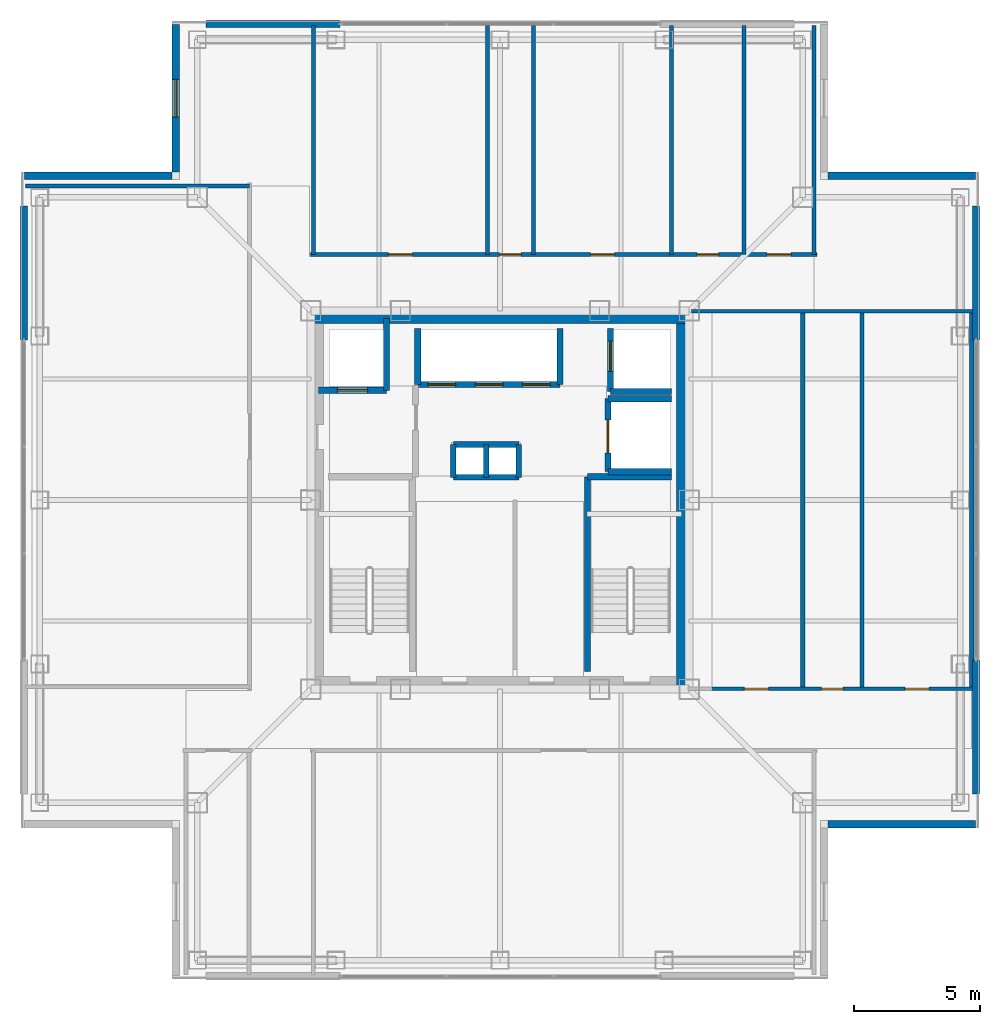
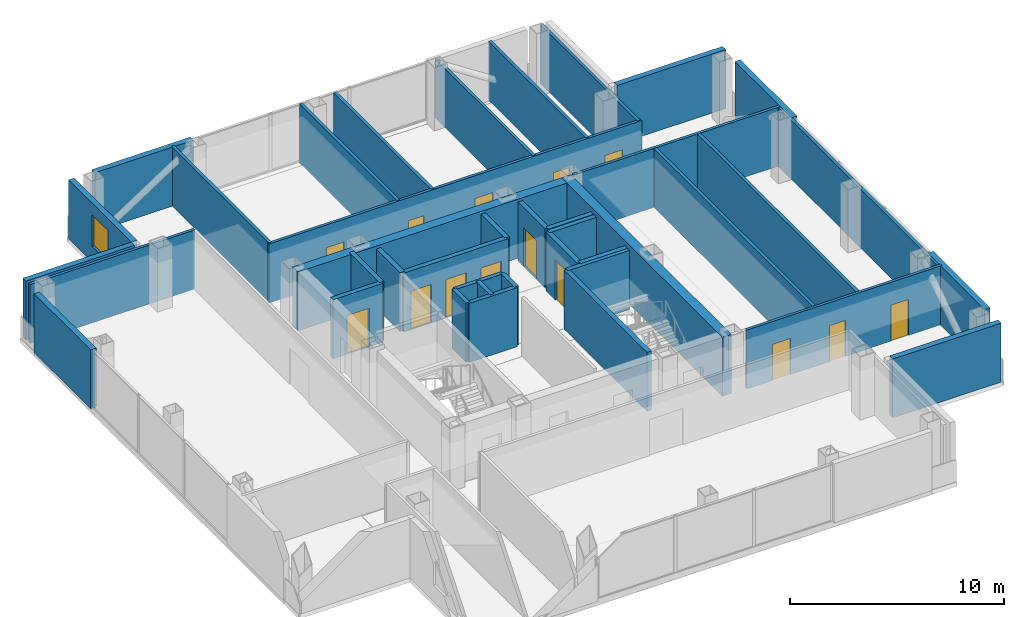
# One storey, part 9 of 16: 40 walls, 14 doors, 1 window, 15 openings.
"""IFC4 building model written with IfcOpenShell, lengths in metres."""

from ifc_helpers import new_model, si_unit, direction, frame, frame_2d, origin, place, context, subcontext, project, spatial, rectangle, extrude, material, layer, layer_set, type_object, element, fill, save


model = new_model("IFC4")

# Units and contexts
model_context = context("Model", 3, precision=1e-05, world=origin(), true_north=direction((0.0, 1.0)))
body_context = subcontext(model_context, "Body", "Model", "MODEL_VIEW")
ifc_project = project(units=[si_unit("LENGTHUNIT", "METRE"), si_unit("AREAUNIT", "SQUARE_METRE"), si_unit("VOLUMEUNIT", "CUBIC_METRE"), si_unit("PLANEANGLEUNIT", "RADIAN"), si_unit("MASSUNIT", "GRAM", prefix="KILO")], contexts=[model_context])

# Site, building, storey
site_placement = place(None, origin())
site = spatial("IfcSite", under=ifc_project, at=site_placement, CompositionType="ELEMENT")
building_placement = place(site_placement, origin())
building = spatial("IfcBuilding", under=site, at=building_placement, Name="Trevonay Congress Spire", CompositionType="ELEMENT")
storey_placement = place(building_placement, frame((0.0, 0.0, 246.800048828125)))
storey = spatial("IfcBuildingStorey", under=building, at=storey_placement, Name="L64", CompositionType="ELEMENT", Elevation=246.800048828125)

# Walls
ifc_material_1 = material(Name="Concrete C50/60", Category="concrete")
ifc_layer_1 = layer(ifc_material_1, 0.5, Name="Concrete C50/60")
ifc_layer_set_1 = layer_set([ifc_layer_1], Name="Concrete C50/60")
wall_type_1 = type_object("IfcWallType", Name="WAL-CORE-500", PredefinedType="SHEAR", material=ifc_layer_set_1)
for number, where, z_axis, x_axis, name in (
    (1, (-7.5, 7.25, 0.0), (0.0, 0.0, 1.0), (1.0, 0.0, 0.0), "L64 North structural core shear wall"),
    (2, (7.25, -7.5, 0.0), (0.0, 0.0, 1.0), (0.0, 1.0, 0.0), "L64 East structural core shear wall"),
):
    element("IfcWall", number, at=place(storey_placement, frame(where, z_axis=z_axis, x_axis=x_axis)), inside=storey, type_object=wall_type_1, Name=name, PredefinedType="SHEAR", context=body_context, shape_type="SweptSolid", body=[
        extrude(rectangle(XDim=15.0, YDim=0.5, at=frame_2d((7.5, 0.0))), origin(), (0.0, 0.0, 1.0), 3.35986328125),
    ])

# Wall, openings, doors
ifc_material_2 = material(Name="Concrete C40/50", Category="concrete")
ifc_layer_2 = layer(ifc_material_2, 0.14990234375, Name="Concrete C40/50")
ifc_layer_set_2 = layer_set([ifc_layer_2], Name="Concrete C40/50")
wall_type_2 = type_object("IfcWallType", Name="WAL-CORR-150", PredefinedType="PARTITIONING", material=ifc_layer_set_2)
wall_1_placement = place(storey_placement, frame((-7.52001953125, 9.72998046875, 0.0), z_axis=(0.0, 0.0, 1.0), x_axis=(1.0, 0.0, 0.0)))
wall_1 = element("IfcWall", 3, at=wall_1_placement, inside=storey, type_object=wall_type_2, Name="L64 interior wall WP-L64N-COR", PredefinedType="PARTITIONING", context=body_context, shape_type="SweptSolid", body=[
    extrude(rectangle(XDim=20.090087890625, YDim=0.14990234375, at=frame_2d((10.044921875, 0.0))), origin(), (0.0, 0.0, 1.0), 3.35986328125),
])
opening_1_placement = place(wall_1_placement, frame((3.094970703125, 0.0, 0.0)))
opening_1 = element("IfcOpeningElement", 4, at=opening_1_placement, cuts=wall_1, Name="Opening D07", PredefinedType="OPENING", context=body_context, shape_type="SweptSolid", body=[
    extrude(rectangle(XDim=0.949951171875, YDim=2.06005859375, at=frame_2d((0.47509765625, 1.030029296875))), frame((0.0, 0.0849609375, 0.0), z_axis=(0.0, -1.0, 0.0), x_axis=(1.0, 0.0, 0.0)), (0.0, 0.0, 1.0), 0.169921875),
])
opening_2_placement = place(wall_1_placement, frame((7.510009765625, 0.0, 0.0)))
opening_2 = element("IfcOpeningElement", 5, at=opening_2_placement, cuts=wall_1, Name="Opening D10", PredefinedType="OPENING", context=body_context, shape_type="SweptSolid", body=[
    extrude(rectangle(XDim=0.85009765625, YDim=2.050048828125, at=frame_2d((0.425048828125, 1.02490234375))), frame((0.0, 0.0849609375, 0.0), z_axis=(0.0, -1.0, 0.0), x_axis=(1.0, 0.0, 0.0)), (0.0, 0.0, 1.0), 0.169921875),
])
opening_3_placement = place(wall_1_placement, frame((11.110107421875, 0.0, 0.0)))
opening_3 = element("IfcOpeningElement", 6, at=opening_3_placement, cuts=wall_1, Name="Opening D07", PredefinedType="OPENING", context=body_context, shape_type="SweptSolid", body=[
    extrude(rectangle(XDim=0.949951171875, YDim=2.06005859375, at=frame_2d((0.47509765625, 1.030029296875))), frame((0.0, 0.0849609375, 0.0), z_axis=(0.0, -1.0, 0.0), x_axis=(1.0, 0.0, 0.0)), (0.0, 0.0, 1.0), 0.169921875),
])
opening_4_placement = place(wall_1_placement, frame((15.3349609375, 0.0, 0.0)))
opening_4 = element("IfcOpeningElement", 7, at=opening_4_placement, cuts=wall_1, Name="Opening D10", PredefinedType="OPENING", context=body_context, shape_type="SweptSolid", body=[
    extrude(rectangle(XDim=0.85009765625, YDim=2.050048828125, at=frame_2d((0.425048828125, 1.02490234375))), frame((0.0, 0.0849609375, 0.0), z_axis=(0.0, -1.0, 0.0), x_axis=(1.0, 0.0, 0.0)), (0.0, 0.0, 1.0), 0.169921875),
])
opening_5_placement = place(wall_1_placement, frame((18.110107421875, 0.0, 0.0)))
opening_5 = element("IfcOpeningElement", 8, at=opening_5_placement, cuts=wall_1, Name="Opening D07", PredefinedType="OPENING", context=body_context, shape_type="SweptSolid", body=[
    extrude(rectangle(XDim=0.949951171875, YDim=2.06005859375, at=frame_2d((0.47509765625, 1.030029296875))), frame((0.0, 0.0849609375, 0.0), z_axis=(0.0, -1.0, 0.0), x_axis=(1.0, 0.0, 0.0)), (0.0, 0.0, 1.0), 0.169921875),
])
ifc_material_3 = material(Name="Pale Anodised Aluminium EN AW-6063-T6", Category="aluminium")
door_type_1 = type_object("IfcDoorType", Name="DOR-OFFICE-95", OperationType="NOTDEFINED", PredefinedType="DOOR", material=ifc_material_3)
door_1_placement = place(opening_1_placement, origin())
door_1 = element("IfcDoor", 9, at=door_1_placement, inside=storey, type_object=door_type_1, Name="L64 Simultaneous Translation Office Door", OperationType="SINGLE_SWING_LEFT", OverallHeight=2.06005859375, OverallWidth=0.949951171875, PredefinedType="DOOR", context=body_context, shape_type="SweptSolid", body=[
    extrude(rectangle(XDim=0.949951171875, YDim=2.06005859375, at=frame_2d((0.47509765625, 1.030029296875))), frame((0.0, 0.02490234375, 0.0), z_axis=(0.0, -1.0, 0.0), x_axis=(1.0, 0.0, 0.0)), (0.0, 0.0, 1.0), 0.050048828125),
])
fill(opening_1, door_1)
door_2_placement = place(opening_3_placement, origin())
door_2 = element("IfcDoor", 10, at=door_2_placement, inside=storey, type_object=door_type_1, Name="L64 Floor Supplies and Copy Room Door", OperationType="SINGLE_SWING_LEFT", OverallHeight=2.06005859375, OverallWidth=0.949951171875, PredefinedType="DOOR", context=body_context, shape_type="SweptSolid", body=[
    extrude(rectangle(XDim=0.949951171875, YDim=2.06005859375, at=frame_2d((0.47509765625, 1.030029296875))), frame((0.0, 0.02490234375, 0.0), z_axis=(0.0, -1.0, 0.0), x_axis=(1.0, 0.0, 0.0)), (0.0, 0.0, 1.0), 0.050048828125),
])
fill(opening_3, door_2)
door_3_placement = place(opening_5_placement, origin())
door_3 = element("IfcDoor", 11, at=door_3_placement, inside=storey, type_object=door_type_1, Name="L64 Floor Supplies and Copy Room Door", OperationType="SINGLE_SWING_LEFT", OverallHeight=2.06005859375, OverallWidth=0.949951171875, PredefinedType="DOOR", context=body_context, shape_type="SweptSolid", body=[
    extrude(rectangle(XDim=0.949951171875, YDim=2.06005859375, at=frame_2d((0.47509765625, 1.030029296875))), frame((0.0, 0.02490234375, 0.0), z_axis=(0.0, -1.0, 0.0), x_axis=(1.0, 0.0, 0.0)), (0.0, 0.0, 1.0), 0.050048828125),
])
fill(opening_5, door_3)
door_type_2 = type_object("IfcDoorType", Name="DOR-WC-85", OperationType="NOTDEFINED", PredefinedType="DOOR", material=ifc_material_3)
door_4_placement = place(opening_2_placement, origin())
door_4 = element("IfcDoor", 12, at=door_4_placement, inside=storey, type_object=door_type_2, Name="L64 Accessible WC Door", OperationType="SINGLE_SWING_RIGHT", OverallHeight=2.050048828125, OverallWidth=0.85009765625, PredefinedType="DOOR", context=body_context, shape_type="SweptSolid", body=[
    extrude(rectangle(XDim=0.85009765625, YDim=2.050048828125, at=frame_2d((0.425048828125, 1.02490234375))), frame((0.0, 0.02490234375, 0.0), z_axis=(0.0, -1.0, 0.0), x_axis=(1.0, 0.0, 0.0)), (0.0, 0.0, 1.0), 0.050048828125),
])
fill(opening_2, door_4)
door_5_placement = place(opening_4_placement, origin())
door_5 = element("IfcDoor", 13, at=door_5_placement, inside=storey, type_object=door_type_2, Name="L64 Female Restroom WC Door", OperationType="SINGLE_SWING_RIGHT", OverallHeight=2.050048828125, OverallWidth=0.85009765625, PredefinedType="DOOR", context=body_context, shape_type="SweptSolid", body=[
    extrude(rectangle(XDim=0.85009765625, YDim=2.050048828125, at=frame_2d((0.425048828125, 1.02490234375))), frame((0.0, 0.02490234375, 0.0), z_axis=(0.0, -1.0, 0.0), x_axis=(1.0, 0.0, 0.0)), (0.0, 0.0, 1.0), 0.050048828125),
])
fill(opening_4, door_5)

wall_2_placement = place(storey_placement, frame((8.280029296875, -7.47998046875, 0.0), z_axis=(0.0, 0.0, 1.0), x_axis=(1.0, 0.0, 0.0)))
wall_2 = element("IfcWall", 14, at=wall_2_placement, inside=storey, type_object=wall_type_2, Name="L64 interior wall WP-L64E-COR", PredefinedType="PARTITIONING", context=body_context, shape_type="SweptSolid", body=[
    extrude(rectangle(XDim=10.5400390625, YDim=0.14990234375, at=frame_2d((5.27001953125, 0.0))), origin(), (0.0, 0.0, 1.0), 3.35986328125),
])
opening_6_placement = place(wall_2_placement, frame((1.405029296875, 0.0, 0.0)))
opening_6 = element("IfcOpeningElement", 15, at=opening_6_placement, cuts=wall_2, Name="Opening D07", PredefinedType="OPENING", context=body_context, shape_type="SweptSolid", body=[
    extrude(rectangle(XDim=0.949951171875, YDim=2.06005859375, at=frame_2d((0.47509765625, 1.030029296875))), frame((0.0, 0.0849609375, 0.0), z_axis=(0.0, -1.0, 0.0), x_axis=(1.0, 0.0, 0.0)), (0.0, 0.0, 1.0), 0.169921875),
])
opening_7_placement = place(wall_2_placement, frame((4.469970703125, 0.0, 0.0)))
opening_7 = element("IfcOpeningElement", 16, at=opening_7_placement, cuts=wall_2, Name="Opening D10", PredefinedType="OPENING", context=body_context, shape_type="SweptSolid", body=[
    extrude(rectangle(XDim=0.85009765625, YDim=2.050048828125, at=frame_2d((0.425048828125, 1.02490234375))), frame((0.0, 0.0849609375, 0.0), z_axis=(0.0, -1.0, 0.0), x_axis=(1.0, 0.0, 0.0)), (0.0, 0.0, 1.0), 0.169921875),
])
opening_8_placement = place(wall_2_placement, frame((7.77001953125, 0.0, 0.0)))
opening_8 = element("IfcOpeningElement", 17, at=opening_8_placement, cuts=wall_2, Name="Opening D07", PredefinedType="OPENING", context=body_context, shape_type="SweptSolid", body=[
    extrude(rectangle(XDim=0.949951171875, YDim=2.06005859375, at=frame_2d((0.47509765625, 1.030029296875))), frame((0.0, 0.0849609375, 0.0), z_axis=(0.0, -1.0, 0.0), x_axis=(1.0, 0.0, 0.0)), (0.0, 0.0, 1.0), 0.169921875),
])
door_6_placement = place(opening_6_placement, origin())
door_6 = element("IfcDoor", 18, at=door_6_placement, inside=storey, type_object=door_type_1, Name="L64 Delegate Coffee Pantry Door", OperationType="SINGLE_SWING_RIGHT", OverallHeight=2.06005859375, OverallWidth=0.949951171875, PredefinedType="DOOR", context=body_context, shape_type="SweptSolid", body=[
    extrude(rectangle(XDim=0.949951171875, YDim=2.06005859375, at=frame_2d((0.47509765625, 1.030029296875))), frame((0.0, 0.02490234375, 0.0), z_axis=(0.0, -1.0, 0.0), x_axis=(1.0, 0.0, 0.0)), (0.0, 0.0, 1.0), 0.050048828125),
])
fill(opening_6, door_6)
door_7_placement = place(opening_8_placement, origin())
door_7 = element("IfcDoor", 19, at=door_7_placement, inside=storey, type_object=door_type_1, Name="L64 Floor Supplies and Copy Room Door", OperationType="SINGLE_SWING_RIGHT", OverallHeight=2.06005859375, OverallWidth=0.949951171875, PredefinedType="DOOR", context=body_context, shape_type="SweptSolid", body=[
    extrude(rectangle(XDim=0.949951171875, YDim=2.06005859375, at=frame_2d((0.47509765625, 1.030029296875))), frame((0.0, 0.02490234375, 0.0), z_axis=(0.0, -1.0, 0.0), x_axis=(1.0, 0.0, 0.0)), (0.0, 0.0, 1.0), 0.050048828125),
])
fill(opening_8, door_7)
door_8_placement = place(opening_7_placement, origin())
door_8 = element("IfcDoor", 20, at=door_8_placement, inside=storey, type_object=door_type_2, Name="L64 Male Restroom WC Door", OperationType="SINGLE_SWING_LEFT", OverallHeight=2.050048828125, OverallWidth=0.85009765625, PredefinedType="DOOR", context=body_context, shape_type="SweptSolid", body=[
    extrude(rectangle(XDim=0.85009765625, YDim=2.050048828125, at=frame_2d((0.425048828125, 1.02490234375))), frame((0.0, 0.02490234375, 0.0), z_axis=(0.0, -1.0, 0.0), x_axis=(1.0, 0.0, 0.0)), (0.0, 0.0, 1.0), 0.050048828125),
])
fill(opening_7, door_8)

# Walls
ifc_material_4 = material(Name="Precast concrete C40/50", Category="concrete")
ifc_layer_3 = layer(ifc_material_4, 0.300048828125, Name="Precast concrete C40/50")
ifc_layer_set_3 = layer_set([ifc_layer_3], Name="Precast concrete C40/50")
wall_type_3 = type_object("IfcWallType", Name="WAL-EXT-PRECAST-300", PredefinedType="SOLIDWALL", material=ifc_layer_set_3)
for number, where, z_axis, x_axis, name in (
    (21, (-11.64990234375, 18.8798828125, 0.0), (0.0, 0.0, 1.0), (1.0, 0.0, 0.0), "L64 NL braced-bay exterior pier wall"),
    (22, (-18.8798828125, 6.35009765625, 0.0), (0.0, 0.0, 1.0), (0.0, 1.0, 0.0), "L64 WR braced-bay exterior pier wall"),
    (23, (18.8798828125, -11.64990234375, 0.0), (0.0, 0.0, 1.0), (0.0, 1.0, 0.0), "L64 EL braced-bay exterior pier wall"),
    (24, (18.8798828125, 6.35009765625, 0.0), (0.0, 0.0, 1.0), (0.0, 1.0, 0.0), "L64 ER braced-bay exterior pier wall"),
):
    element("IfcWall", number, at=place(storey_placement, frame(where, z_axis=z_axis, x_axis=x_axis)), inside=storey, type_object=wall_type_3, Name=name, PredefinedType="SOLIDWALL", context=body_context, shape_type="SweptSolid", body=[
        extrude(rectangle(XDim=5.2998046875, YDim=0.300048828125, at=frame_2d((2.64990234375, 0.0))), origin(), (0.0, 0.0, 1.0), 3.35986328125),
    ])
for number, where, z_axis, x_axis, name in (
    (25, (18.85009765625, -12.85009765625, 0.0), (0.0, 0.0, 1.0), (-1.0, 0.0, 0.0), "L64 SE re-entrant notch exterior wall 2"),
    (26, (18.85009765625, 12.85009765625, 0.0), (0.0, 0.0, 1.0), (-1.0, 0.0, 0.0), "L64 NE re-entrant notch exterior wall 2"),
):
    element("IfcWall", number, at=place(storey_placement, frame(where, z_axis=z_axis, x_axis=x_axis)), inside=storey, type_object=wall_type_3, Name=name, PredefinedType="SOLIDWALL", context=body_context, shape_type="SweptSolid", body=[
        extrude(rectangle(XDim=5.85009765625, YDim=0.300048828125, at=frame_2d((2.925048828125, 0.0))), origin(), (0.0, 0.0, 1.0), 3.35986328125),
    ])

# Wall, opening, window
wall_3_placement = place(storey_placement, frame((-12.85009765625, 18.85009765625, 0.0), z_axis=(0.0, 0.0, 1.0), x_axis=(0.0, -1.0, 0.0)))
wall_3 = element("IfcWall", 27, at=wall_3_placement, inside=storey, type_object=wall_type_3, Name="L64 NW re-entrant notch exterior wall 1", PredefinedType="SOLIDWALL", context=body_context, shape_type="SweptSolid", body=[
    extrude(rectangle(XDim=5.85009765625, YDim=0.300048828125, at=frame_2d((2.925048828125, 0.0))), origin(), (0.0, 0.0, 1.0), 3.35986328125),
])
opening_9_placement = place(wall_3_placement, frame((2.175048828125, 0.0, 0.89990234375)))
opening_9 = element("IfcOpeningElement", 28, at=opening_9_placement, cuts=wall_3, Name="Opening WN03", PredefinedType="OPENING", context=body_context, shape_type="SweptSolid", body=[
    extrude(rectangle(XDim=1.5, YDim=1.800048828125, at=frame_2d((0.75, 0.89990234375))), frame((0.0, 0.16015625, 0.0), z_axis=(0.0, -1.0, 0.0), x_axis=(1.0, 0.0, 0.0)), (0.0, 0.0, 1.0), 0.320068359375),
])
ifc_material_5 = material(Name="Insulated Low-E Vision Glass IGU", Category="glass")
window_type = type_object("IfcWindowType", Name="WIN-NOTCH-150X180", PartitioningType="SINGLE_PANEL", PredefinedType="WINDOW", material=ifc_material_5)
window_placement = place(opening_9_placement, origin())
window = element("IfcWindow", 29, at=window_placement, inside=storey, type_object=window_type, Name="L64 NW corner notch window", OverallHeight=1.800048828125, OverallWidth=1.5, PartitioningType="SINGLE_PANEL", PredefinedType="WINDOW", context=body_context, shape_type="SweptSolid", body=[
    extrude(rectangle(XDim=1.5, YDim=1.800048828125, at=frame_2d((0.75, 0.89990234375))), frame((0.0, 0.030029296875, 0.0), z_axis=(0.0, -1.0, 0.0), x_axis=(1.0, 0.0, 0.0)), (0.0, 0.0, 1.0), 0.06005859375),
])
fill(opening_9, window)

# Walls
wall_4_placement = place(storey_placement, frame((-18.85009765625, 12.85009765625, 0.0), z_axis=(0.0, 0.0, 1.0), x_axis=(1.0, 0.0, 0.0)))
element("IfcWall", 30, at=wall_4_placement, inside=storey, type_object=wall_type_3, Name="L64 NW re-entrant notch exterior wall 2", PredefinedType="SOLIDWALL", context=body_context, shape_type="SweptSolid", body=[
    extrude(rectangle(XDim=5.85009765625, YDim=0.300048828125, at=frame_2d((2.925048828125, 0.0))), origin(), (0.0, 0.0, 1.0), 3.35986328125),
])
ifc_layer_4 = layer(ifc_material_2, 0.14990234375, Name="Concrete C40/50")
ifc_layer_set_4 = layer_set([ifc_layer_4], Name="Concrete C40/50")
wall_type_4 = type_object("IfcWallType", Name="WAL-PART-150", PredefinedType="PARTITIONING", material=ifc_layer_set_4)
wall_5_placement = place(storey_placement, frame((-18.820068359375, 12.449951171875, 0.0), z_axis=(0.0, 0.0, 1.0), x_axis=(1.0, 0.0, 0.0)))
element("IfcWall", 31, at=wall_5_placement, inside=storey, type_object=wall_type_4, Name="L64 interior wall WP-L64NW-DIV2", PredefinedType="PARTITIONING", context=body_context, shape_type="SweptSolid", body=[
    extrude(rectangle(XDim=8.89013671875, YDim=0.14990234375, at=frame_2d((4.445068359375, 0.0))), origin(), (0.0, 0.0, 1.0), 3.35986328125),
])
for number, where, z_axis, x_axis, name in (
    (32, (6.800048828125, 9.72998046875, 0.0), (0.0, 0.0, 1.0), (0.0, 1.0, 0.0), "L64 interior wall WP-L64N-DIV3"),
    (33, (12.449951171875, 9.72998046875, 0.0), (0.0, 0.0, 1.0), (0.0, 1.0, 0.0), "L64 interior wall WP-L64N-DIV4"),
):
    element("IfcWall", number, at=place(storey_placement, frame(where, z_axis=z_axis, x_axis=x_axis)), inside=storey, type_object=wall_type_4, Name=name, PredefinedType="PARTITIONING", context=body_context, shape_type="SweptSolid", body=[
        extrude(rectangle(XDim=9.090087890625, YDim=0.14990234375, at=frame_2d((4.544921875, 0.0))), origin(), (0.0, 0.0, 1.0), 3.35986328125),
    ])
wall_6_placement = place(storey_placement, frame((7.60009765625, 7.47998046875, 0.0), z_axis=(0.0, 0.0, 1.0), x_axis=(1.0, 0.0, 0.0)))
element("IfcWall", 34, at=wall_6_placement, inside=storey, type_object=wall_type_4, Name="L64 interior wall WP-L64E-NCLS", PredefinedType="PARTITIONING", context=body_context, shape_type="SweptSolid", body=[
    extrude(rectangle(XDim=11.219970703125, YDim=0.14990234375, at=frame_2d((5.60986328125, 0.0))), origin(), (0.0, 0.0, 1.0), 3.35986328125),
])
ifc_layer_5 = layer(ifc_material_2, 0.219970703125, Name="Concrete C40/50")
ifc_layer_set_5 = layer_set([ifc_layer_5], Name="Concrete C40/50")
wall_type_5 = type_object("IfcWallType", Name="WAL-SHAFT-220", PredefinedType="PARTITIONING", material=ifc_layer_set_5)
for number, where, z_axis, x_axis, name in (
    (35, (-1.85009765625, 2.199951171875, 0.0), (0.0, 0.0, 1.0), (1.0, 0.0, 0.0), "L64 interior shaft wall WSH-L64-RSR-N"),
    (36, (-1.85009765625, 0.89990234375, 0.0), (0.0, 0.0, 1.0), (1.0, 0.0, 0.0), "L64 interior shaft wall WSH-L64-RSR-S"),
):
    element("IfcWall", number, at=place(storey_placement, frame(where, z_axis=z_axis, x_axis=x_axis)), inside=storey, type_object=wall_type_5, Name=name, PredefinedType="PARTITIONING", context=body_context, shape_type="SweptSolid", body=[
        extrude(rectangle(XDim=2.60009765625, YDim=0.219970703125, at=frame_2d((1.300048828125, 0.0))), origin(), (0.0, 0.0, 1.0), 3.35986328125),
    ])
for number, where, z_axis, x_axis, name in (
    (37, (-0.550048828125, 0.89990234375, 0.0), (0.0, 0.0, 1.0), (0.0, 1.0, 0.0), "L64 interior shaft wall WSH-L64-RSR-M"),
    (38, (0.75, 0.89990234375, 0.0), (0.0, 0.0, 1.0), (0.0, 1.0, 0.0), "L64 interior shaft wall WSH-L64-RSR-E"),
    (39, (-1.85009765625, 0.89990234375, 0.0), (0.0, 0.0, 1.0), (0.0, 1.0, 0.0), "L64 interior shaft wall WSH-L64-RSR-W"),
):
    element("IfcWall", number, at=place(storey_placement, frame(where, z_axis=z_axis, x_axis=x_axis)), inside=storey, type_object=wall_type_5, Name=name, PredefinedType="PARTITIONING", context=body_context, shape_type="SweptSolid", body=[
        extrude(rectangle(XDim=1.300048828125, YDim=0.219970703125, at=frame_2d((0.64990234375, 0.0))), origin(), (0.0, 0.0, 1.0), 3.35986328125),
    ])

# Wall, openings, doors
ifc_layer_6 = layer(ifc_material_2, 0.25, Name="Concrete C40/50")
ifc_layer_set_6 = layer_set([ifc_layer_6], Name="Concrete C40/50")
wall_type_6 = type_object("IfcWallType", Name="WAL-SHAFT-250", PredefinedType="SHEAR", material=ifc_layer_set_6)
wall_7_placement = place(storey_placement, frame((-3.260009765625, 4.580078125, 0.0), z_axis=(0.0, 0.0, 1.0), x_axis=(1.0, 0.0, 0.0)))
wall_7 = element("IfcWall", 40, at=wall_7_placement, inside=storey, type_object=wall_type_6, Name="L64 interior shaft wall WSH-L64-B3-S", PredefinedType="SHEAR", context=body_context, shape_type="SweptSolid", body=[
    extrude(rectangle(XDim=5.639892578125, YDim=0.25, at=frame_2d((2.81982421875, 0.0))), origin(), (0.0, 0.0, 1.0), 3.35986328125),
])
opening_10_placement = place(wall_7_placement, frame((0.39990234375, 0.0, 0.0)))
opening_10 = element("IfcOpeningElement", 41, at=opening_10_placement, cuts=wall_7, Name="Opening LD03", PredefinedType="OPENING", context=body_context, shape_type="SweptSolid", body=[
    extrude(rectangle(XDim=1.10009765625, YDim=2.199951171875, at=frame_2d((0.550048828125, 1.10009765625))), frame((0.0, 0.135009765625, 0.0), z_axis=(0.0, -1.0, 0.0), x_axis=(1.0, 0.0, 0.0)), (0.0, 0.0, 1.0), 0.27001953125),
])
opening_11_placement = place(wall_7_placement, frame((2.280029296875, 0.0, 0.0)))
opening_11 = element("IfcOpeningElement", 42, at=opening_11_placement, cuts=wall_7, Name="Opening LD03", PredefinedType="OPENING", context=body_context, shape_type="SweptSolid", body=[
    extrude(rectangle(XDim=1.10009765625, YDim=2.199951171875, at=frame_2d((0.550048828125, 1.10009765625))), frame((0.0, 0.135009765625, 0.0), z_axis=(0.0, -1.0, 0.0), x_axis=(1.0, 0.0, 0.0)), (0.0, 0.0, 1.0), 0.27001953125),
])
opening_12_placement = place(wall_7_placement, frame((4.159912109375, 0.0, 0.0)))
opening_12 = element("IfcOpeningElement", 43, at=opening_12_placement, cuts=wall_7, Name="Opening LD03", PredefinedType="OPENING", context=body_context, shape_type="SweptSolid", body=[
    extrude(rectangle(XDim=1.10009765625, YDim=2.199951171875, at=frame_2d((0.550048828125, 1.10009765625))), frame((0.0, 0.135009765625, 0.0), z_axis=(0.0, -1.0, 0.0), x_axis=(1.0, 0.0, 0.0)), (0.0, 0.0, 1.0), 0.27001953125),
])
door_type_3 = type_object("IfcDoorType", Name="DOR-LIFT-LD03", OperationType="DOUBLE_DOOR_SLIDING", PredefinedType="DOOR", material=ifc_material_3)
door_9_placement = place(opening_10_placement, origin())
door_9 = element("IfcDoor", 44, at=door_9_placement, inside=storey, type_object=door_type_3, Name="L64 Passenger lift PL-07 landing door", OperationType="DOUBLE_DOOR_SLIDING", OverallHeight=2.199951171875, OverallWidth=1.10009765625, PredefinedType="DOOR", context=body_context, shape_type="SweptSolid", body=[
    extrude(rectangle(XDim=1.10009765625, YDim=2.199951171875, at=frame_2d((0.550048828125, 1.10009765625))), frame((0.0, 0.02490234375, 0.0), z_axis=(0.0, -1.0, 0.0), x_axis=(1.0, 0.0, 0.0)), (0.0, 0.0, 1.0), 0.050048828125),
])
fill(opening_10, door_9)
door_10_placement = place(opening_11_placement, origin())
door_10 = element("IfcDoor", 45, at=door_10_placement, inside=storey, type_object=door_type_3, Name="L64 Passenger lift PL-08 landing door", OperationType="DOUBLE_DOOR_SLIDING", OverallHeight=2.199951171875, OverallWidth=1.10009765625, PredefinedType="DOOR", context=body_context, shape_type="SweptSolid", body=[
    extrude(rectangle(XDim=1.10009765625, YDim=2.199951171875, at=frame_2d((0.550048828125, 1.10009765625))), frame((0.0, 0.02490234375, 0.0), z_axis=(0.0, -1.0, 0.0), x_axis=(1.0, 0.0, 0.0)), (0.0, 0.0, 1.0), 0.050048828125),
])
fill(opening_11, door_10)
door_11_placement = place(opening_12_placement, origin())
door_11 = element("IfcDoor", 46, at=door_11_placement, inside=storey, type_object=door_type_3, Name="L64 Passenger lift PL-09 landing door", OperationType="DOUBLE_DOOR_SLIDING", OverallHeight=2.199951171875, OverallWidth=1.10009765625, PredefinedType="DOOR", context=body_context, shape_type="SweptSolid", body=[
    extrude(rectangle(XDim=1.10009765625, YDim=2.199951171875, at=frame_2d((0.550048828125, 1.10009765625))), frame((0.0, 0.02490234375, 0.0), z_axis=(0.0, -1.0, 0.0), x_axis=(1.0, 0.0, 0.0)), (0.0, 0.0, 1.0), 0.050048828125),
])
fill(opening_12, door_11)

# Walls
for number, where, z_axis, x_axis, name in (
    (47, (-3.260009765625, 4.580078125, 0.0), (0.0, 0.0, 1.0), (0.0, 1.0, 0.0), "L64 interior shaft wall WSH-L64-B3-W"),
    (48, (2.3798828125, 4.580078125, 0.0), (0.0, 0.0, 1.0), (0.0, 1.0, 0.0), "L64 interior shaft wall WSH-L64-B3-E"),
):
    element("IfcWall", number, at=place(storey_placement, frame(where, z_axis=z_axis, x_axis=x_axis)), inside=storey, type_object=wall_type_6, Name=name, PredefinedType="SHEAR", context=body_context, shape_type="SweptSolid", body=[
        extrude(rectangle(XDim=2.219970703125, YDim=0.25, at=frame_2d((1.10986328125, 0.0))), origin(), (0.0, 0.0, 1.0), 3.35986328125),
    ])

# Wall, opening, door
wall_8_placement = place(storey_placement, frame((-7.199951171875, 4.35009765625, 0.0), z_axis=(0.0, 0.0, 1.0), x_axis=(1.0, 0.0, 0.0)))
wall_8 = element("IfcWall", 49, at=wall_8_placement, inside=storey, type_object=wall_type_6, Name="L64 interior shaft wall WSH-L64-FF1-S", PredefinedType="SHEAR", context=body_context, shape_type="SweptSolid", body=[
    extrude(rectangle(XDim=2.699951171875, YDim=0.25, at=frame_2d((1.35009765625, 0.0))), origin(), (0.0, 0.0, 1.0), 3.35986328125),
])
opening_13_placement = place(wall_8_placement, frame((0.75, 0.0, 0.0)))
opening_13 = element("IfcOpeningElement", 50, at=opening_13_placement, cuts=wall_8, Name="Opening LD04", PredefinedType="OPENING", context=body_context, shape_type="SweptSolid", body=[
    extrude(rectangle(XDim=1.199951171875, YDim=2.199951171875, at=frame_2d((0.60009765625, 1.10009765625))), frame((0.0, 0.135009765625, 0.0), z_axis=(0.0, -1.0, 0.0), x_axis=(1.0, 0.0, 0.0)), (0.0, 0.0, 1.0), 0.27001953125),
])
ifc_material_6 = material(Name="Steel ASTM A572 Grade 50", Category="steel")
door_type_4 = type_object("IfcDoorType", Name="DOR-LIFT-LD04", OperationType="DOUBLE_DOOR_SLIDING", PredefinedType="DOOR", material=ifc_material_6)
door_12_placement = place(opening_13_placement, origin())
door_12 = element("IfcDoor", 51, at=door_12_placement, inside=storey, type_object=door_type_4, Name="L64 Firefighting lift FFL-01 landing door", OperationType="DOUBLE_DOOR_SLIDING", OverallHeight=2.199951171875, OverallWidth=1.199951171875, PredefinedType="DOOR", context=body_context, shape_type="SweptSolid", body=[
    extrude(rectangle(XDim=1.199951171875, YDim=2.199951171875, at=frame_2d((0.60009765625, 1.10009765625))), frame((0.0, 0.02490234375, 0.0), z_axis=(0.0, -1.0, 0.0), x_axis=(1.0, 0.0, 0.0)), (0.0, 0.0, 1.0), 0.050048828125),
])
fill(opening_13, door_12)

# Walls
wall_9_placement = place(storey_placement, frame((-4.5, 4.35009765625, 0.0), z_axis=(0.0, 0.0, 1.0), x_axis=(0.0, 1.0, 0.0)))
element("IfcWall", 52, at=wall_9_placement, inside=storey, type_object=wall_type_6, Name="L64 interior shaft wall WSH-L64-FF1-E", PredefinedType="SHEAR", context=body_context, shape_type="SweptSolid", body=[
    extrude(rectangle(XDim=2.849853515625, YDim=0.25, at=frame_2d((1.4248046875, 0.0))), origin(), (0.0, 0.0, 1.0), 3.35986328125),
])
wall_10_placement = place(storey_placement, frame((4.3798828125, 4.300048828125, 0.0), z_axis=(0.0, 0.0, 1.0), x_axis=(1.0, 0.0, 0.0)))
element("IfcWall", 53, at=wall_10_placement, inside=storey, type_object=wall_type_6, Name="L64 interior shaft wall WSH-L64-FF2-S", PredefinedType="SHEAR", context=body_context, shape_type="SweptSolid", body=[
    extrude(rectangle(XDim=2.420166015625, YDim=0.25, at=frame_2d((1.2099609375, 0.0))), origin(), (0.0, 0.0, 1.0), 3.35986328125),
])

# Wall, opening, door
wall_11_placement = place(storey_placement, frame((4.3798828125, 4.300048828125, 0.0), z_axis=(0.0, 0.0, 1.0), x_axis=(0.0, 1.0, 0.0)))
wall_11 = element("IfcWall", 54, at=wall_11_placement, inside=storey, type_object=wall_type_6, Name="L64 interior shaft wall WSH-L64-FF2-W", PredefinedType="SHEAR", context=body_context, shape_type="SweptSolid", body=[
    extrude(rectangle(XDim=2.5, YDim=0.25, at=frame_2d((1.25, 0.0))), origin(), (0.0, 0.0, 1.0), 3.35986328125),
])
opening_14_placement = place(wall_11_placement, frame((0.800048828125, 0.0, 0.0)))
opening_14 = element("IfcOpeningElement", 55, at=opening_14_placement, cuts=wall_11, Name="Opening LD04", PredefinedType="OPENING", context=body_context, shape_type="SweptSolid", body=[
    extrude(rectangle(XDim=1.199951171875, YDim=2.199951171875, at=frame_2d((0.60009765625, 1.10009765625))), frame((0.0, 0.135009765625, 0.0), z_axis=(0.0, -1.0, 0.0), x_axis=(1.0, 0.0, 0.0)), (0.0, 0.0, 1.0), 0.27001953125),
])
door_13_placement = place(opening_14_placement, origin())
door_13 = element("IfcDoor", 56, at=door_13_placement, inside=storey, type_object=door_type_4, Name="L64 Firefighting lift FFL-02 landing door", OperationType="DOUBLE_DOOR_SLIDING", OverallHeight=2.199951171875, OverallWidth=1.199951171875, PredefinedType="DOOR", context=body_context, shape_type="SweptSolid", body=[
    extrude(rectangle(XDim=1.199951171875, YDim=2.199951171875, at=frame_2d((0.60009765625, 1.10009765625))), frame((0.0, 0.02490234375, 0.0), z_axis=(0.0, -1.0, 0.0), x_axis=(1.0, 0.0, 0.0)), (0.0, 0.0, 1.0), 0.050048828125),
])
fill(opening_14, door_13)

wall_12_placement = place(storey_placement, frame((4.280029296875, 1.1201171875, 0.0), z_axis=(0.0, 0.0, 1.0), x_axis=(0.0, 1.0, 0.0)))
wall_12 = element("IfcWall", 57, at=wall_12_placement, inside=storey, type_object=wall_type_6, Name="L64 interior shaft wall WSH-L64-SV-W", PredefinedType="SHEAR", context=body_context, shape_type="SweptSolid", body=[
    extrude(rectangle(XDim=2.89990234375, YDim=0.25, at=frame_2d((1.449951171875, 0.0))), origin(), (0.0, 0.0, 1.0), 3.35986328125),
])
opening_15_placement = place(wall_12_placement, frame((0.75, 0.0, 0.0)))
opening_15 = element("IfcOpeningElement", 58, at=opening_15_placement, cuts=wall_12, Name="Opening LD05", PredefinedType="OPENING", context=body_context, shape_type="SweptSolid", body=[
    extrude(rectangle(XDim=1.300048828125, YDim=2.300048828125, at=frame_2d((0.64990234375, 1.14990234375))), frame((0.0, 0.135009765625, 0.0), z_axis=(0.0, -1.0, 0.0), x_axis=(1.0, 0.0, 0.0)), (0.0, 0.0, 1.0), 0.27001953125),
])
door_type_5 = type_object("IfcDoorType", Name="DOR-LIFT-LD05", OperationType="DOUBLE_DOOR_SLIDING", PredefinedType="DOOR", material=ifc_material_6)
door_14_placement = place(opening_15_placement, origin())
door_14 = element("IfcDoor", 59, at=door_14_placement, inside=storey, type_object=door_type_5, Name="L64 Goods lift SVL-01 landing door", OperationType="DOUBLE_DOOR_SLIDING", OverallHeight=2.300048828125, OverallWidth=1.300048828125, PredefinedType="DOOR", context=body_context, shape_type="SweptSolid", body=[
    extrude(rectangle(XDim=1.300048828125, YDim=2.300048828125, at=frame_2d((0.64990234375, 1.14990234375))), frame((0.0, 0.02490234375, 0.0), z_axis=(0.0, -1.0, 0.0), x_axis=(1.0, 0.0, 0.0)), (0.0, 0.0, 1.0), 0.050048828125),
])
fill(opening_15, door_14)

# Walls
for number, where, z_axis, x_axis, name in (
    (60, (4.280029296875, 1.1201171875, 0.0), (0.0, 0.0, 1.0), (1.0, 0.0, 0.0), "L64 interior shaft wall WSH-L64-SV-S"),
    (61, (4.280029296875, 4.02001953125, 0.0), (0.0, 0.0, 1.0), (1.0, 0.0, 0.0), "L64 interior shaft wall WSH-L64-SV-N"),
):
    element("IfcWall", number, at=place(storey_placement, frame(where, z_axis=z_axis, x_axis=x_axis)), inside=storey, type_object=wall_type_6, Name=name, PredefinedType="SHEAR", context=body_context, shape_type="SweptSolid", body=[
        extrude(rectangle(XDim=2.52001953125, YDim=0.25, at=frame_2d((1.260009765625, 0.0))), origin(), (0.0, 0.0, 1.0), 3.35986328125),
    ])
ifc_layer_7 = layer(ifc_material_2, 0.25, Name="Concrete C40/50")
ifc_layer_set_7 = layer_set([ifc_layer_7], Name="Concrete C40/50")
wall_type_7 = type_object("IfcWallType", Name="WAL-SHAFT-LB-250", PredefinedType="SHEAR", material=ifc_layer_set_7)
wall_13_placement = place(storey_placement, frame((3.469970703125, -6.800048828125, 0.0), z_axis=(0.0, 0.0, 1.0), x_axis=(0.0, 1.0, 0.0)))
element("IfcWall", 62, at=wall_13_placement, inside=storey, type_object=wall_type_7, Name="L64 interior shaft wall WSH-L64-ST2-W", PredefinedType="SHEAR", context=body_context, shape_type="SweptSolid", body=[
    extrude(rectangle(XDim=7.719970703125, YDim=0.25, at=frame_2d((3.85986328125, 0.0))), origin(), (0.0, 0.0, 1.0), 3.35986328125),
])
wall_14_placement = place(storey_placement, frame((3.469970703125, 0.919921875, 0.0), z_axis=(0.0, 0.0, 1.0), x_axis=(1.0, 0.0, 0.0)))
element("IfcWall", 63, at=wall_14_placement, inside=storey, type_object=wall_type_7, Name="L64 interior shaft wall WSH-L64-ST2-N", PredefinedType="SHEAR", context=body_context, shape_type="SweptSolid", body=[
    extrude(rectangle(XDim=3.330078125, YDim=0.25, at=frame_2d((1.6650390625, 0.0))), origin(), (0.0, 0.0, 1.0), 3.35986328125),
])
ifc_layer_8 = layer(ifc_material_2, 0.1650390625, Name="Concrete C40/50")
ifc_layer_set_8 = layer_set([ifc_layer_8], Name="Concrete C40/50")
wall_type_8 = type_object("IfcWallType", Name="WAL-WET-165", PredefinedType="PLUMBINGWALL", material=ifc_layer_set_8)
for number, where, z_axis, x_axis, name in (
    (64, (1.330078125, 9.72998046875, 0.0), (0.0, 0.0, 1.0), (0.0, 1.0, 0.0), "L64 interior wall WP-L64N-WCS2"),
    (65, (9.679931640625, 9.72998046875, 0.0), (0.0, 0.0, 1.0), (0.0, 1.0, 0.0), "L64 interior wall WP-L64N-WCS3"),
    (66, (-7.39990234375, 9.72998046875, 0.0), (0.0, 0.0, 1.0), (0.0, 1.0, 0.0), "L64 interior wall WP-L64N-DIV1"),
    (67, (-0.5, 9.72998046875, 0.0), (0.0, 0.0, 1.0), (0.0, 1.0, 0.0), "L64 interior wall WP-L64N-DIV2"),
):
    element("IfcWall", number, at=place(storey_placement, frame(where, z_axis=z_axis, x_axis=x_axis)), inside=storey, type_object=wall_type_8, Name=name, PredefinedType="PLUMBINGWALL", context=body_context, shape_type="SweptSolid", body=[
        extrude(rectangle(XDim=9.090087890625, YDim=0.1650390625, at=frame_2d((4.544921875, 0.0))), origin(), (0.0, 0.0, 1.0), 3.35986328125),
    ])
for number, where, z_axis, x_axis, name in (
    (68, (14.35009765625, -7.47998046875, 0.0), (0.0, 0.0, 1.0), (0.0, 1.0, 0.0), "L64 interior wall WP-L64E-WCS2"),
    (69, (12.0, -7.47998046875, 0.0), (0.0, 0.0, 1.0), (0.0, 1.0, 0.0), "L64 interior wall WP-L64E-DIV1"),
    (70, (18.699951171875, -7.47998046875, 0.0), (0.0, 0.0, 1.0), (0.0, 1.0, 0.0), "L64 interior wall WP-L64E-DIV2"),
):
    element("IfcWall", number, at=place(storey_placement, frame(where, z_axis=z_axis, x_axis=x_axis)), inside=storey, type_object=wall_type_8, Name=name, PredefinedType="PLUMBINGWALL", context=body_context, shape_type="SweptSolid", body=[
        extrude(rectangle(XDim=14.89990234375, YDim=0.1650390625, at=frame_2d((7.449951171875, 0.0))), origin(), (0.0, 0.0, 1.0), 3.35986328125),
    ])

save(model, "model.ifc")
